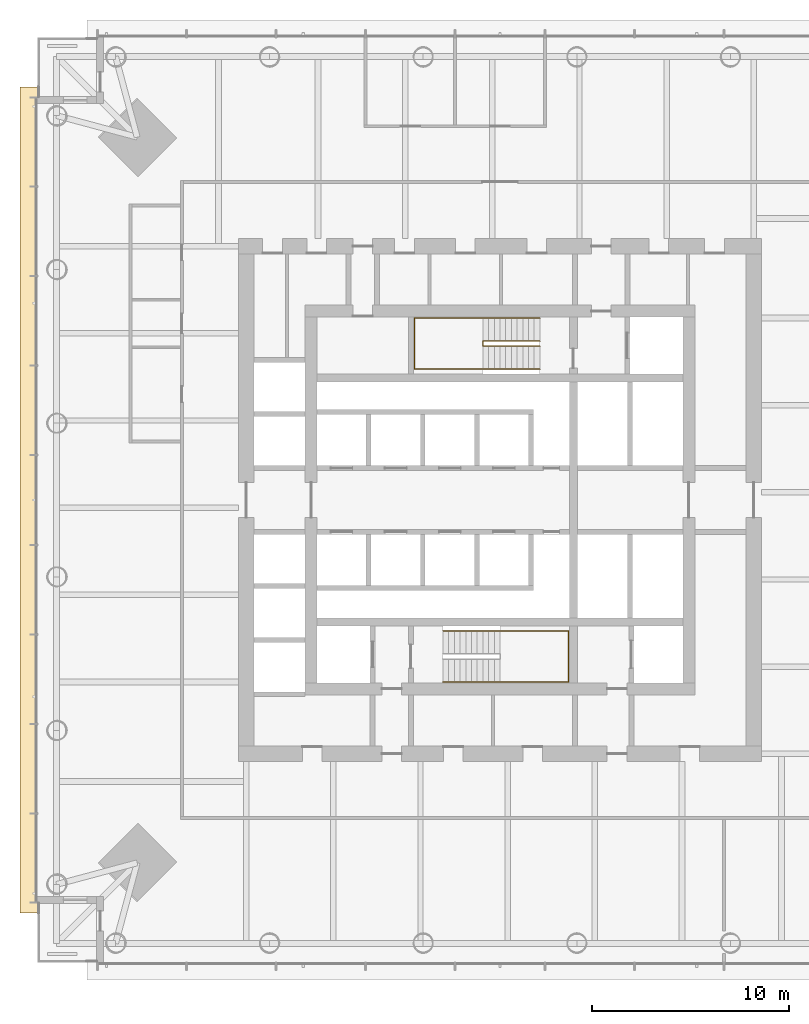
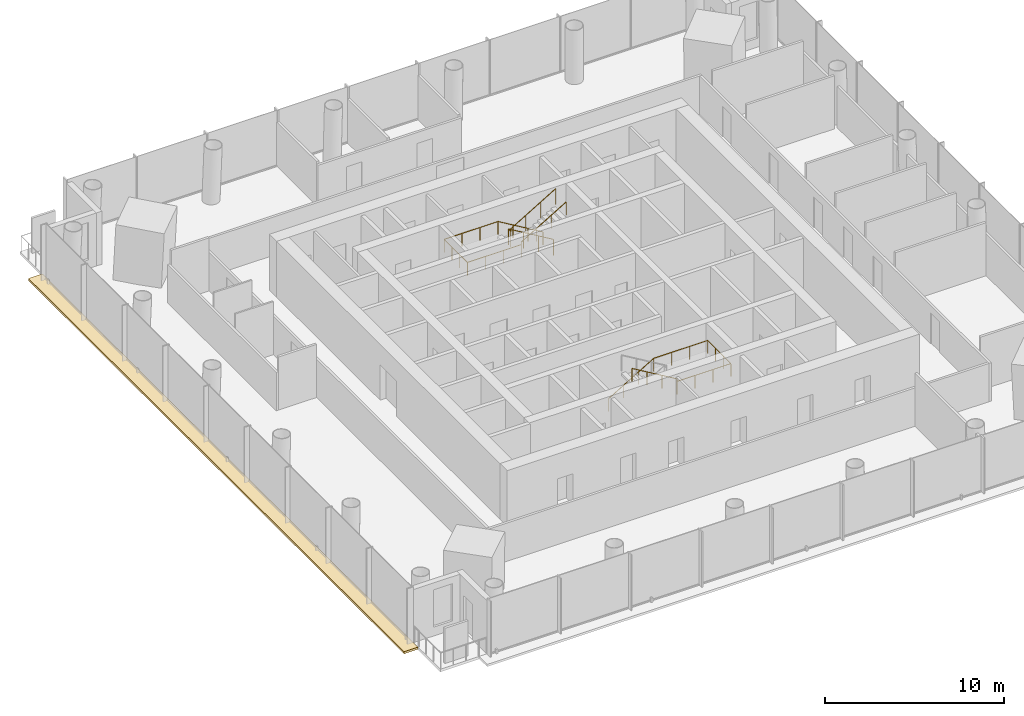
# One storey, part 23 of 26: 3 railings, 1 covering.
"""IFC4 building model written with IfcOpenShell, lengths in metres."""

import ifcopenshell
import ifcopenshell.guid

model = None  # the IFC model being written
_history = None  # IfcOwnerHistory: only IFC2X3 demands one
_inside = {}  # id of a spatial element -> (the spatial element, [elements in it])
_under = {}  # id of a project, library or spatial element -> (it, [spatial elements below it])
_declared = {}  # id of a project -> (the project, [libraries it declares])
_typed = {}  # id of a type object -> (the type object, [elements of that type])
_made_of = {}  # id of a material, layer set ... -> (it, [elements and type objects made of it])


def new_model(schema):
    """Start an empty IFC model of exactly this schema.

    Asked for "IFC4X3", IfcOpenShell would pick the latest addendum, in which some entities
    have other attributes; the version numbers below select the first issue.
    IFC2X3 requires an IfcOwnerHistory on every rooted entity: one is made here for all.
    """
    global model, _history
    if schema == "IFC4X3":
        model = ifcopenshell.file(schema_version=(4, 3, 0, 0))
    else:
        model = ifcopenshell.file(schema=schema)
    _inside.clear()
    _under.clear()
    _declared.clear()
    _typed.clear()
    _made_of.clear()
    _history = None
    if model.schema == "IFC2X3":
        org = make("IfcOrganization", Name="unknown")
        user = make(
            "IfcPersonAndOrganization",
            ThePerson=make("IfcPerson", FamilyName="unknown"),
            TheOrganization=org,
        )
        app = make(
            "IfcApplication",
            ApplicationDeveloper=org,
            Version="unknown",
            ApplicationFullName="unknown",
            ApplicationIdentifier="unknown",
        )
        _history = make(
            "IfcOwnerHistory",
            OwningUser=user,
            OwningApplication=app,
            ChangeAction="ADDED",
            CreationDate=0,
        )
    return model


def make(cls, **values):
    """One entity of the class cls with the attributes given. An attribute that is None is left unset."""
    return model.create_entity(
        cls, **{name: value for name, value in values.items() if value is not None}
    )


def rooted(cls, **values):
    """An entity with a GlobalId (a new one), such as an element, a storey or a relation."""
    return make(cls, GlobalId=ifcopenshell.guid.new(), OwnerHistory=_history, **values)


def si_unit(unit_type, name, prefix=None):
    """IfcSIUnit, for example si_unit("LENGTHUNIT", "METRE", prefix="MILLI")."""
    return make("IfcSIUnit", UnitType=unit_type, Prefix=prefix, Name=name)


def assignment(units):
    """IfcUnitAssignment: the units of a project."""
    return None if units is None else make("IfcUnitAssignment", Units=units)


def point(xyz):
    """IfcCartesianPoint."""
    return None if xyz is None else make("IfcCartesianPoint", Coordinates=xyz)


def direction(xyz):
    """IfcDirection."""
    return None if xyz is None else make("IfcDirection", DirectionRatios=xyz)


def frame(location, z_axis=None, x_axis=None):
    """IfcAxis2Placement3D, a coordinate frame: its origin and axes. An axis left out is left unset."""
    return make(
        "IfcAxis2Placement3D",
        Location=point(location),
        Axis=direction(z_axis),
        RefDirection=direction(x_axis),
    )


def frame_2d(location, x_axis=None):
    """IfcAxis2Placement2D, a coordinate frame in the plane: its origin and x axis."""
    return make(
        "IfcAxis2Placement2D", Location=point(location), RefDirection=direction(x_axis)
    )


def origin():
    """The frame at (0, 0, 0) with its axes left unset."""
    return frame((0.0, 0.0, 0.0))


def origin_2d():
    """The frame at (0, 0) in the plane with its x axis left unset."""
    return frame_2d((0.0, 0.0))


def place(relative_to, where):
    """IfcLocalPlacement: puts the frame where relative to a parent placement (None: the world)."""
    return make(
        "IfcLocalPlacement", PlacementRelTo=relative_to, RelativePlacement=where
    )


def context(
    kind, dimensions, precision=None, world=None, true_north=None, identifier=None
):
    """IfcGeometricRepresentationContext, for example the 3D "Model" context."""
    return make(
        "IfcGeometricRepresentationContext",
        ContextIdentifier=identifier,
        ContextType=kind,
        CoordinateSpaceDimension=dimensions,
        Precision=precision,
        WorldCoordinateSystem=world,
        TrueNorth=true_north,
    )


def subcontext(parent, identifier, kind, view, scale=None):
    """IfcGeometricRepresentationSubContext, for example "Body" below "Model"."""
    return make(
        "IfcGeometricRepresentationSubContext",
        ContextIdentifier=identifier,
        ContextType=kind,
        ParentContext=parent,
        TargetScale=scale,
        TargetView=view,
    )


def project(units=None, contexts=None):
    """IfcProject with its units and contexts."""
    return rooted(
        "IfcProject",
        Name="project",
        RepresentationContexts=contexts,
        UnitsInContext=assignment(units),
    )


def spatial(cls, under=None, at=None, **own):
    """A site, building, storey or space (cls), placed at a placement, below another one or the project."""
    s = rooted(cls, ObjectPlacement=at, **own)
    if under is not None:
        _under.setdefault(under.id(), (under, []))[1].append(s)
    return s


def polyline(points):
    """IfcPolyline through the points."""
    return make("IfcPolyline", Points=[point(p) for p in points])


def profile(cls, at=None, kind="AREA", **sizes):
    """A parametric profile (cls). Its sizes go by their IFC names, for example OverallWidth=200.0."""
    return make(cls, ProfileType=kind, Position=at, **sizes)


def circle(**sizes):
    """IfcCircleProfileDef."""
    return profile("IfcCircleProfileDef", **sizes)


def outline(outer, holes=None, kind="AREA"):
    """IfcArbitraryClosedProfileDef: a profile drawn as a closed curve; with holes, ...WithVoids."""
    if holes is None:
        return make("IfcArbitraryClosedProfileDef", ProfileType=kind, OuterCurve=outer)
    return make(
        "IfcArbitraryProfileDefWithVoids",
        ProfileType=kind,
        OuterCurve=outer,
        InnerCurves=holes,
    )


def extrude(swept, where, along, depth):
    """IfcExtrudedAreaSolid: the profile swept, set in the frame where, extruded along a direction by depth."""
    return make(
        "IfcExtrudedAreaSolid",
        SweptArea=swept,
        Position=where,
        ExtrudedDirection=direction(along),
        Depth=depth,
    )


def shape(context_of_items, identifier, shape_type, items):
    """IfcShapeRepresentation: the items that make up one representation, for example the "Body"."""
    return make(
        "IfcShapeRepresentation",
        ContextOfItems=context_of_items,
        RepresentationIdentifier=identifier,
        RepresentationType=shape_type,
        Items=items,
    )


def material(Name=None, Category=None):
    """IfcMaterial."""
    return make("IfcMaterial", Name=Name, Category=Category)


def layer(
    of_material, thickness, ventilated=None, Name=None, Category=None, Priority=None
):
    """IfcMaterialLayer: one layer of a wall or slab, of a material (None: an air gap)."""
    return make(
        "IfcMaterialLayer",
        Material=of_material,
        LayerThickness=thickness,
        IsVentilated=ventilated,
        Name=Name,
        Category=Category,
        Priority=Priority,
    )


def layer_set(layers, Name=None):
    """IfcMaterialLayerSet."""
    return make("IfcMaterialLayerSet", MaterialLayers=layers, LayerSetName=Name)


def made_of(thing, what):
    """Note that an element or type object is made of a material, layer set ...; save() writes the relation."""
    if what is not None:
        _made_of.setdefault(what.id(), (what, []))[1].append(thing)
    return thing


def type_object(cls, material=None, **own):
    """A type object (cls), such as IfcWallType, which elements share."""
    return made_of(rooted(cls, **own), material)


def element(
    cls,
    number,
    at=None,
    inside=None,
    cuts=None,
    type_object=None,
    material=None,
    context=None,
    identifier="Body",
    shape_type=None,
    held_by="IfcProductDefinitionShape",
    body=None,
    shapes=None,
    **own,
):
    """One element of the class cls, such as IfcWall. Its Tag is "e" and its number.

    at: its placement. inside: the storey or other place that contains it. cuts: it is an
    opening in that element (IfcRelVoidsElement). A single representation is given by context,
    identifier, shape_type and body (its items); several are given by shapes. held_by: the class
    of the entity that holds the representations. save() writes the other relations.
    """
    e = rooted(cls, Tag="e%d" % number, ObjectPlacement=at, **own)
    if body is not None:
        shapes = [shape(context, identifier, shape_type, body)]
    if shapes is not None:
        e.Representation = make(held_by, Representations=shapes)
    if inside is not None:
        _inside.setdefault(inside.id(), (inside, []))[1].append(e)
    if cuts is not None:
        rooted(
            "IfcRelVoidsElement", RelatingBuildingElement=cuts, RelatedOpeningElement=e
        )
    if type_object is not None:
        _typed.setdefault(type_object.id(), (type_object, []))[1].append(e)
    return made_of(e, material)


def aggregate(whole, parts):
    """IfcRelAggregates: a whole, such as a stair, and the parts it consists of."""
    return rooted("IfcRelAggregates", RelatingObject=whole, RelatedObjects=parts)


def save(model, path):
    """Write the relations noted so far, then the file.

    IfcRelAggregates (storeys below a building ...), IfcRelContainedInSpatialStructure (elements
    in a storey), IfcRelDefinesByType, IfcRelAssociatesMaterial and IfcRelDeclares: one each for
    every whole, place, type object, material and project.
    """
    for whole, parts in _under.values():
        aggregate(whole, parts)
    for where, things in _inside.values():
        rooted(
            "IfcRelContainedInSpatialStructure",
            RelatedElements=things,
            RelatingStructure=where,
        )
    for kind, things in _typed.values():
        rooted("IfcRelDefinesByType", RelatedObjects=things, RelatingType=kind)
    for what, things in _made_of.values():
        rooted("IfcRelAssociatesMaterial", RelatedObjects=things, RelatingMaterial=what)
    for by, libraries in _declared.values():
        rooted("IfcRelDeclares", RelatingContext=by, RelatedDefinitions=libraries)
    model.write(path)


model = new_model("IFC4")

# Units and contexts
model_context = context("Model", 3, precision=1e-05, world=origin(), true_north=direction((0.0, 1.0)))
body_context = subcontext(model_context, "Body", "Model", "MODEL_VIEW")
ifc_project = project(units=[si_unit("LENGTHUNIT", "METRE"), si_unit("AREAUNIT", "SQUARE_METRE"), si_unit("VOLUMEUNIT", "CUBIC_METRE"), si_unit("PLANEANGLEUNIT", "RADIAN"), si_unit("MASSUNIT", "GRAM", prefix="KILO")], contexts=[model_context])

# Site, building, storey
site_placement = place(None, origin())
site = spatial("IfcSite", under=ifc_project, at=site_placement, CompositionType="ELEMENT")
building_placement = place(site_placement, origin())
building = spatial("IfcBuilding", under=site, at=building_placement, Name="Ostroluk Exchange", CompositionType="ELEMENT")
storey_placement = place(building_placement, frame((0.0, 0.0, 66.60009765625)))
storey = spatial("IfcBuildingStorey", under=building, at=storey_placement, Name="L16", CompositionType="ELEMENT", Elevation=66.60009765625)

# Covering
ifc_material_1 = material(Name="Insulated steel roof deck with membrane, laid to falls, aluminium coping", Category="steel")
ifc_layer = layer(ifc_material_1, 0.14990234375)
ifc_layer_set = layer_set([ifc_layer], Name="Setback maintenance roof")
covering_type = type_object("IfcCoveringType", Name="Setback maintenance roof", PredefinedType="ROOFING", material=ifc_layer_set)
covering_placement = place(storey_placement, frame((0.0, 0.0, -0.150146484375)))
element("IfcCovering", 1, at=covering_placement, inside=storey, type_object=covering_type, Name="Maintenance roof, setback L16 west", PredefinedType="ROOFING", context=body_context, shape_type="SweptSolid", body=[
    extrude(outline(polyline([(20.60009765625, 67.0), (21.5, 67.0), (21.5, 25.0), (20.60009765625, 25.0), (20.60009765625, 67.0)])), origin(), (0.0, 0.0, 1.0), 0.150146484375),
])

# Railings
ifc_material_2 = material(Name="Steel S355", Category="steel")
railing_type_1 = type_object("IfcRailingType", Name="Stair guard 1100", PredefinedType="GUARDRAIL", material=ifc_material_2)
railing_1_placement = place(storey_placement, frame((47.030029296875, 54.080078125, 0.172607421875)))
element("IfcRailing", 2, at=railing_1_placement, inside=storey, type_object=railing_type_1, Name="Stair T1-S2 guard L16", PredefinedType="GUARDRAIL", context=body_context, shape_type="SweptSolid", body=[
    extrude(circle(Radius=0.02392578125, at=origin_2d()), frame((0.0, 0.0, 1.076171875), z_axis=(-0.859160404282, 0.0, 0.51170636083), x_axis=(0.0, -1.0, 0.0)), (0.0, 0.0, 1.0), 3.37548828125),
    extrude(circle(Radius=0.02392578125, at=origin_2d()), frame((-2.900146484375, 0.0, 2.80322265625), z_axis=(0.0, -1.0, 0.0), x_axis=(1.0, 0.0, 0.0)), (0.0, 0.0, 1.0), 0.260009765625),
    extrude(circle(Radius=0.02392578125, at=origin_2d()), frame((-2.900146484375, -0.260009765625, 2.80322265625), z_axis=(0.0, 0.0, 1.0), x_axis=(1.0, 0.0, 0.0)), (0.0, 0.0, 1.0), 0.172607421875),
    extrude(circle(Radius=0.02392578125, at=origin_2d()), frame((-2.900146484375, -0.260009765625, 2.97607421875), z_axis=(0.859160404282, 0.0, 0.51170636083), x_axis=(0.0, 1.0, 0.0)), (0.0, 0.0, 1.0), 3.37548828125),
    extrude(circle(Radius=0.02099609375, at=origin_2d()), origin(), (0.0, 0.0, 1.0), 1.052001953125),
    extrude(circle(Radius=0.02099609375, at=origin_2d()), frame((-0.966796875, 0.0, 0.57568359375)), (0.0, 0.0, 1.0), 1.052001953125),
    extrude(circle(Radius=0.02099609375, at=origin_2d()), frame((-1.933349609375, 0.0, 1.151611328125)), (0.0, 0.0, 1.0), 1.052001953125),
    extrude(circle(Radius=0.02099609375, at=origin_2d()), frame((-2.900146484375, 0.0, 1.727294921875)), (0.0, 0.0, 1.0), 1.052001953125),
    extrude(circle(Radius=0.02099609375, at=origin_2d()), frame((-2.900146484375, -0.260009765625, 1.727294921875)), (0.0, 0.0, 1.0), 1.052001953125),
    extrude(circle(Radius=0.02099609375, at=origin_2d()), frame((-2.900146484375, -0.260009765625, 1.89990234375)), (0.0, 0.0, 1.0), 1.052001953125),
    extrude(circle(Radius=0.02099609375, at=origin_2d()), frame((-1.933349609375, -0.260009765625, 2.4755859375)), (0.0, 0.0, 1.0), 1.052001953125),
    extrude(circle(Radius=0.02099609375, at=origin_2d()), frame((-0.966796875, -0.260009765625, 3.051513671875)), (0.0, 0.0, 1.0), 1.052001953125),
    extrude(circle(Radius=0.02099609375, at=origin_2d()), frame((0.0, -0.260009765625, 3.627197265625)), (0.0, 0.0, 1.0), 1.052001953125),
])
ifc_material_3 = material(Name="Stainless steel", Category="steel")
railing_type_2 = type_object("IfcRailingType", Name="Stair handrail 900", PredefinedType="HANDRAIL", material=ifc_material_3)
railing_2_placement = place(storey_placement, frame((42.10009765625, 39.35009765625, 0.172607421875)))
element("IfcRailing", 3, at=railing_2_placement, inside=storey, type_object=railing_type_2, Name="Stair T1-S1 handrail L16", PredefinedType="HANDRAIL", context=body_context, shape_type="SweptSolid", body=[
    extrude(circle(Radius=0.02392578125, at=origin_2d()), frame((0.0, 0.0, 0.8759765625), z_axis=(0.859141464434, 0.0, 0.511738159696), x_axis=(0.0, 1.0, 0.0)), (0.0, 0.0, 1.0), 3.375244140625),
    extrude(circle(Radius=0.02392578125, at=origin_2d()), frame((2.89990234375, 0.0, 2.60302734375), z_axis=(1.0, 0.0, 0.0), x_axis=(0.0, 1.0, 0.0)), (0.0, 0.0, 1.0), 3.47998046875),
    extrude(circle(Radius=0.02392578125, at=origin_2d()), frame((6.3798828125, 0.0, 2.60302734375), z_axis=(0.0, -1.0, 0.0), x_axis=(1.0, 0.0, 0.0)), (0.0, 0.0, 1.0), 2.60009765625),
    extrude(circle(Radius=0.02392578125, at=origin_2d()), frame((6.3798828125, -2.60009765625, 2.60302734375), z_axis=(-1.0, 0.0, 0.0), x_axis=(0.0, -1.0, 0.0)), (0.0, 0.0, 1.0), 3.47998046875),
    extrude(circle(Radius=0.02392578125, at=origin_2d()), frame((2.89990234375, -2.60009765625, 2.60302734375), z_axis=(0.0, 0.0, 1.0), x_axis=(1.0, 0.0, 0.0)), (0.0, 0.0, 1.0), 0.172607421875),
    extrude(circle(Radius=0.02392578125, at=origin_2d()), frame((2.89990234375, -2.60009765625, 2.77587890625), z_axis=(-0.859141464434, 0.0, 0.511738159696), x_axis=(0.0, -1.0, 0.0)), (0.0, 0.0, 1.0), 3.375244140625),
    extrude(circle(Radius=0.02099609375, at=origin_2d()), origin(), (0.0, 0.0, 1.0), 0.851806640625),
    extrude(circle(Radius=0.02099609375, at=origin_2d()), frame((0.966552734375, 0.0, 0.57568359375)), (0.0, 0.0, 1.0), 0.851806640625),
    extrude(circle(Radius=0.02099609375, at=origin_2d()), frame((1.933349609375, 0.0, 1.151611328125)), (0.0, 0.0, 1.0), 0.851806640625),
    extrude(circle(Radius=0.02099609375, at=origin_2d()), frame((2.89990234375, 0.0, 1.727294921875)), (0.0, 0.0, 1.0), 0.851806640625),
    extrude(circle(Radius=0.02099609375, at=origin_2d()), frame((4.059814453125, 0.0, 1.727294921875)), (0.0, 0.0, 1.0), 0.851806640625),
    extrude(circle(Radius=0.02099609375, at=origin_2d()), frame((5.219970703125, 0.0, 1.727294921875)), (0.0, 0.0, 1.0), 0.851806640625),
    extrude(circle(Radius=0.02099609375, at=origin_2d()), frame((6.3798828125, 0.0, 1.727294921875)), (0.0, 0.0, 1.0), 0.851806640625),
    extrude(circle(Radius=0.02099609375, at=origin_2d()), frame((6.3798828125, -0.86669921875, 1.727294921875)), (0.0, 0.0, 1.0), 0.851806640625),
    extrude(circle(Radius=0.02099609375, at=origin_2d()), frame((6.3798828125, -1.7333984375, 1.727294921875)), (0.0, 0.0, 1.0), 0.851806640625),
    extrude(circle(Radius=0.02099609375, at=origin_2d()), frame((6.3798828125, -2.60009765625, 1.727294921875)), (0.0, 0.0, 1.0), 0.851806640625),
    extrude(circle(Radius=0.02099609375, at=origin_2d()), frame((5.219970703125, -2.60009765625, 1.727294921875)), (0.0, 0.0, 1.0), 0.851806640625),
    extrude(circle(Radius=0.02099609375, at=origin_2d()), frame((4.059814453125, -2.60009765625, 1.727294921875)), (0.0, 0.0, 1.0), 0.851806640625),
    extrude(circle(Radius=0.02099609375, at=origin_2d()), frame((2.89990234375, -2.60009765625, 1.727294921875)), (0.0, 0.0, 1.0), 0.851806640625),
    extrude(circle(Radius=0.02099609375, at=origin_2d()), frame((2.89990234375, -2.60009765625, 1.89990234375)), (0.0, 0.0, 1.0), 0.851806640625),
    extrude(circle(Radius=0.02099609375, at=origin_2d()), frame((1.933349609375, -2.60009765625, 2.4755859375)), (0.0, 0.0, 1.0), 0.851806640625),
    extrude(circle(Radius=0.02099609375, at=origin_2d()), frame((0.966552734375, -2.60009765625, 3.051513671875)), (0.0, 0.0, 1.0), 0.851806640625),
    extrude(circle(Radius=0.02099609375, at=origin_2d()), frame((0.0, -2.60009765625, 3.627197265625)), (0.0, 0.0, 1.0), 0.851806640625),
])
railing_3_placement = place(storey_placement, frame((47.030029296875, 55.25, 0.172607421875)))
element("IfcRailing", 4, at=railing_3_placement, inside=storey, type_object=railing_type_2, Name="Stair T1-S2 handrail L16", PredefinedType="HANDRAIL", context=body_context, shape_type="SweptSolid", body=[
    extrude(circle(Radius=0.02392578125, at=origin_2d()), frame((0.0, 0.0, 0.8759765625), z_axis=(-0.859160404282, 0.0, 0.51170636083), x_axis=(0.0, -1.0, 0.0)), (0.0, 0.0, 1.0), 3.37548828125),
    extrude(circle(Radius=0.02392578125, at=origin_2d()), frame((-2.900146484375, 0.0, 2.60302734375), z_axis=(-1.0, 0.0, 0.0), x_axis=(0.0, -1.0, 0.0)), (0.0, 0.0, 1.0), 3.47998046875),
    extrude(circle(Radius=0.02392578125, at=origin_2d()), frame((-6.380126953125, 0.0, 2.60302734375), z_axis=(0.0, -1.0, 0.0), x_axis=(1.0, 0.0, 0.0)), (0.0, 0.0, 1.0), 2.60009765625),
    extrude(circle(Radius=0.02392578125, at=origin_2d()), frame((-6.380126953125, -2.60009765625, 2.60302734375), z_axis=(1.0, 0.0, 0.0), x_axis=(0.0, 1.0, 0.0)), (0.0, 0.0, 1.0), 3.47998046875),
    extrude(circle(Radius=0.02392578125, at=origin_2d()), frame((-2.900146484375, -2.60009765625, 2.60302734375), z_axis=(0.0, 0.0, 1.0), x_axis=(1.0, 0.0, 0.0)), (0.0, 0.0, 1.0), 0.172607421875),
    extrude(circle(Radius=0.02392578125, at=origin_2d()), frame((-2.900146484375, -2.60009765625, 2.77587890625), z_axis=(0.859160404282, 0.0, 0.51170636083), x_axis=(0.0, 1.0, 0.0)), (0.0, 0.0, 1.0), 3.37548828125),
    extrude(circle(Radius=0.02099609375, at=origin_2d()), origin(), (0.0, 0.0, 1.0), 0.851806640625),
    extrude(circle(Radius=0.02099609375, at=origin_2d()), frame((-0.966796875, 0.0, 0.57568359375)), (0.0, 0.0, 1.0), 0.851806640625),
    extrude(circle(Radius=0.02099609375, at=origin_2d()), frame((-1.933349609375, 0.0, 1.151611328125)), (0.0, 0.0, 1.0), 0.851806640625),
    extrude(circle(Radius=0.02099609375, at=origin_2d()), frame((-2.900146484375, 0.0, 1.727294921875)), (0.0, 0.0, 1.0), 0.851806640625),
    extrude(circle(Radius=0.02099609375, at=origin_2d()), frame((-4.06005859375, 0.0, 1.727294921875)), (0.0, 0.0, 1.0), 0.851806640625),
    extrude(circle(Radius=0.02099609375, at=origin_2d()), frame((-5.22021484375, 0.0, 1.727294921875)), (0.0, 0.0, 1.0), 0.851806640625),
    extrude(circle(Radius=0.02099609375, at=origin_2d()), frame((-6.380126953125, 0.0, 1.727294921875)), (0.0, 0.0, 1.0), 0.851806640625),
    extrude(circle(Radius=0.02099609375, at=origin_2d()), frame((-6.380126953125, -0.86669921875, 1.727294921875)), (0.0, 0.0, 1.0), 0.851806640625),
    extrude(circle(Radius=0.02099609375, at=origin_2d()), frame((-6.380126953125, -1.7333984375, 1.727294921875)), (0.0, 0.0, 1.0), 0.851806640625),
    extrude(circle(Radius=0.02099609375, at=origin_2d()), frame((-6.380126953125, -2.60009765625, 1.727294921875)), (0.0, 0.0, 1.0), 0.851806640625),
    extrude(circle(Radius=0.02099609375, at=origin_2d()), frame((-5.22021484375, -2.60009765625, 1.727294921875)), (0.0, 0.0, 1.0), 0.851806640625),
    extrude(circle(Radius=0.02099609375, at=origin_2d()), frame((-4.06005859375, -2.60009765625, 1.727294921875)), (0.0, 0.0, 1.0), 0.851806640625),
    extrude(circle(Radius=0.02099609375, at=origin_2d()), frame((-2.900146484375, -2.60009765625, 1.727294921875)), (0.0, 0.0, 1.0), 0.851806640625),
    extrude(circle(Radius=0.02099609375, at=origin_2d()), frame((-2.900146484375, -2.60009765625, 1.89990234375)), (0.0, 0.0, 1.0), 0.851806640625),
    extrude(circle(Radius=0.02099609375, at=origin_2d()), frame((-1.933349609375, -2.60009765625, 2.4755859375)), (0.0, 0.0, 1.0), 0.851806640625),
    extrude(circle(Radius=0.02099609375, at=origin_2d()), frame((-0.966796875, -2.60009765625, 3.051513671875)), (0.0, 0.0, 1.0), 0.851806640625),
    extrude(circle(Radius=0.02099609375, at=origin_2d()), frame((0.0, -2.60009765625, 3.627197265625)), (0.0, 0.0, 1.0), 0.851806640625),
])

save(model, "model.ifc")
